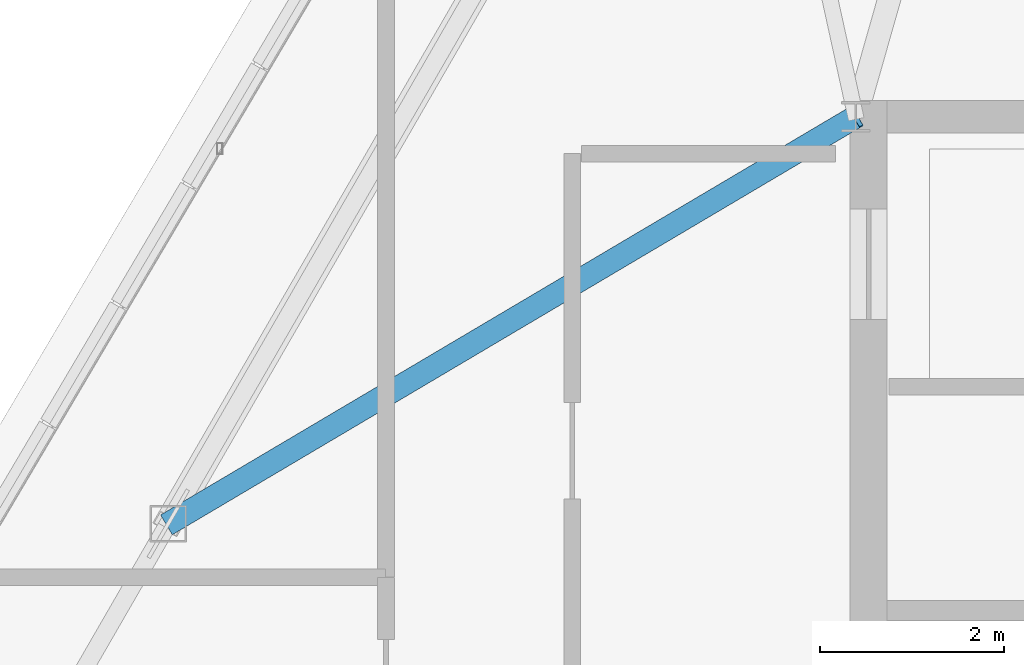
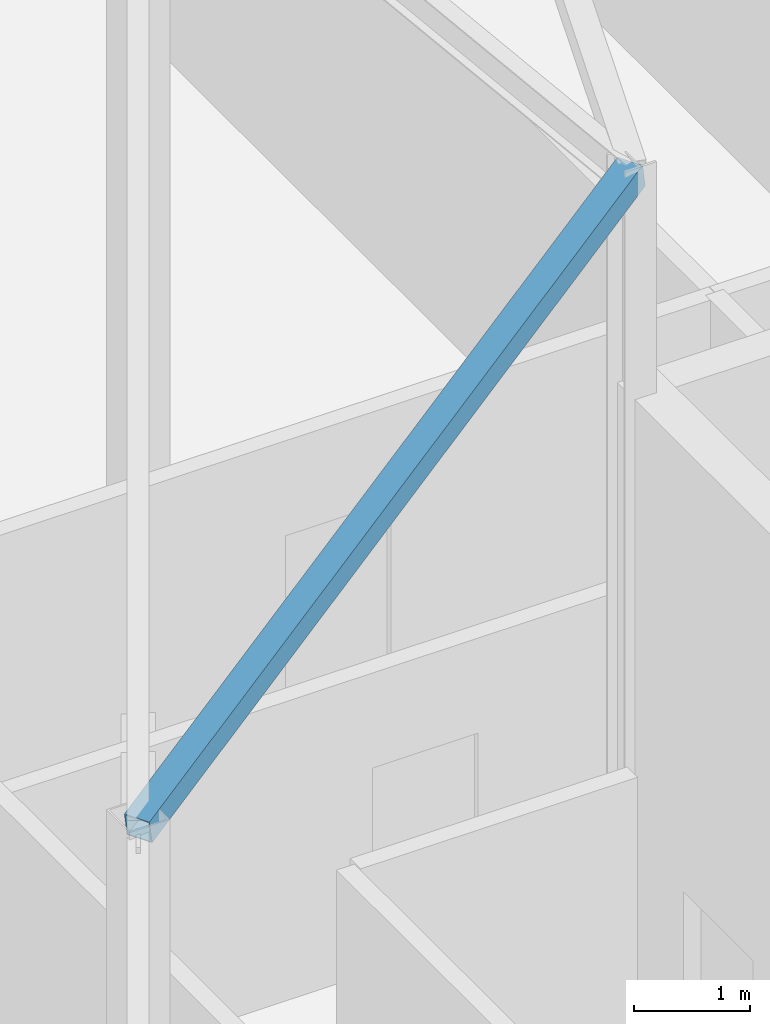
# One storey, part 15 of 50: 1 beam.
"""IFC4 building model written with IfcOpenShell, lengths in metres."""

from ifc_helpers import new_model, si_unit, direction, frame, origin, origin_2d, place, context, subcontext, project, spatial, hollow_rectangle, extrude, source, transform, mapped, material, material_profile, profile_set, type_object, type_shapes, element, save


model = new_model("IFC4")

# Units and contexts
model_context = context("Model", 3, precision=1e-05, world=origin(), true_north=direction((0.0, 1.0)))
body_context = subcontext(model_context, "Body", "Model", "MODEL_VIEW")
ifc_project = project(units=[si_unit("LENGTHUNIT", "METRE"), si_unit("AREAUNIT", "SQUARE_METRE"), si_unit("VOLUMEUNIT", "CUBIC_METRE"), si_unit("PLANEANGLEUNIT", "RADIAN"), si_unit("MASSUNIT", "GRAM", prefix="KILO")], contexts=[model_context])

# Site, building, storey
site_placement = place(None, origin())
site = spatial("IfcSite", under=ifc_project, at=site_placement, CompositionType="ELEMENT")
building_placement = place(site_placement, origin())
building = spatial("IfcBuilding", under=site, at=building_placement, Name="Caelisora Broadcast Tower", CompositionType="ELEMENT")
storey_placement = place(building_placement, frame((0.0, 0.0, 303.39990234375)))
storey = spatial("IfcBuildingStorey", under=building, at=storey_placement, Name="L80", CompositionType="ELEMENT", Elevation=303.39990234375)

# Beam
ifc_material = material(Name="Steel Grade 350 (AS/NZS 1163 C350L0)", Category="steel")
ifc_material_profile = material_profile(ifc_material, hollow_rectangle(XDim=0.25, YDim=0.25, WallThickness=0.010009765625, at=origin_2d()), Name="Steel Grade 350 (AS/NZS 1163 C350L0)")
ifc_profile_set = profile_set([ifc_material_profile], Name="Steel Grade 350 (AS/NZS 1163 C350L0)")
beam_type = type_object("IfcBeamType", Name="RB03", PredefinedType="USERDEFINED", material=ifc_profile_set)
shared_shape = source(origin(), body_context, "Body", "SweptSolid", [
    extrude(hollow_rectangle(XDim=0.25, YDim=0.25, WallThickness=0.010009765625, at=origin_2d()), origin(), (0.0, 0.0, 1.0), 8.824951171875),
])
type_shapes(beam_type, [shared_shape])
beam_placement = place(storey_placement, frame((30.5, 30.0, 9.15380859375), z_axis=(-0.845803174908, -0.500709503897, -0.18413848599), x_axis=(0.509420435797, -0.860517762508, 0.0)))
element("IfcBeam", 1, at=beam_placement, inside=storey, type_object=beam_type, Name="L80 beam RB03", ObjectType="RAFTER", PredefinedType="USERDEFINED", context=body_context, shape_type="MappedRepresentation", body=[
    mapped(shared_shape, transform((0.0, 0.0, 0.0), scale=1.0)),
])

save(model, "model.ifc")
